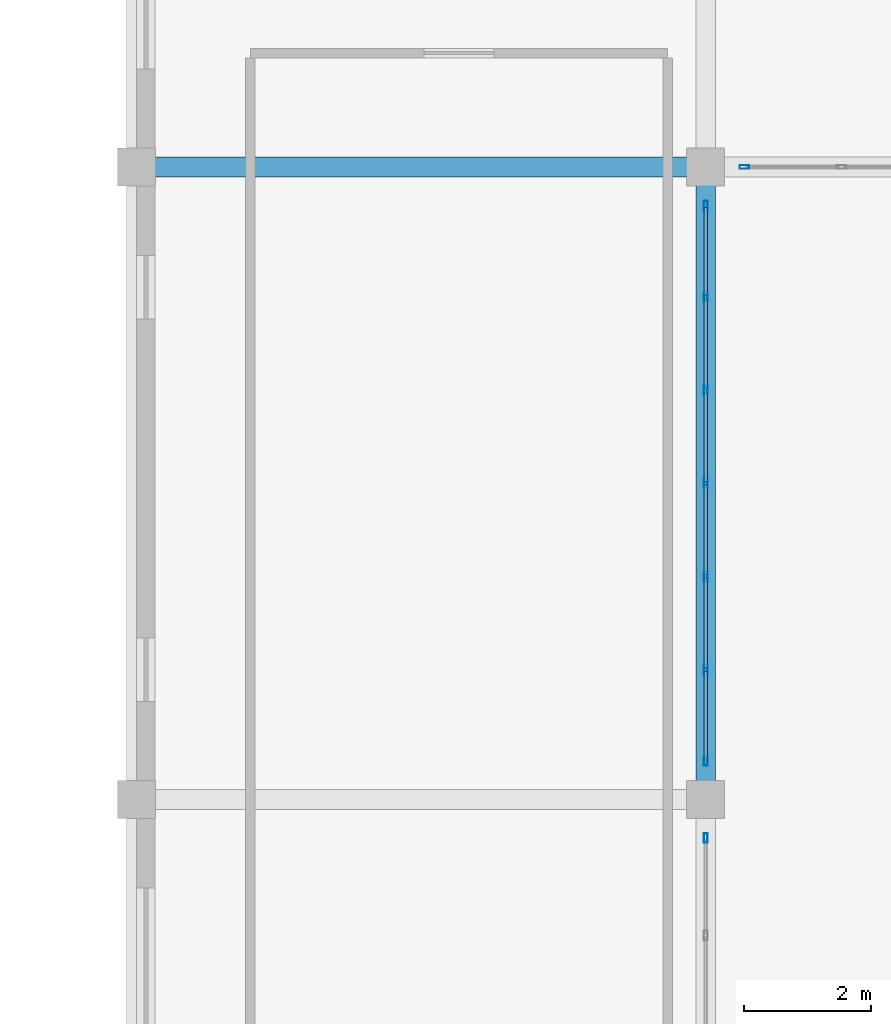
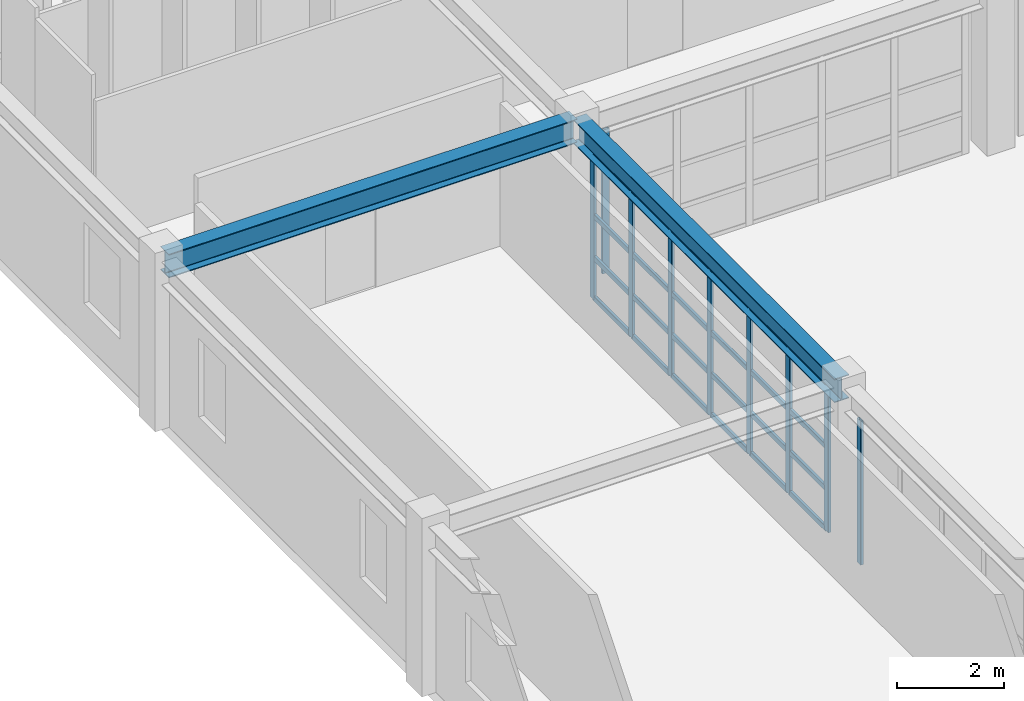
# One storey, part 13 of 110: 33 members, 2 beams, 3 elements without a shape of their own.
"""IFC4 building model written with IfcOpenShell, lengths in metres."""

from ifc_helpers import new_model, si_unit, direction, frame, origin, origin_2d, place, context, subcontext, project, spatial, hollow_rectangle, i_section, extrude, material, material_profile, profile_set, type_object, element, aggregate, save


model = new_model("IFC4")

# Units and contexts
model_context = context("Model", 3, precision=1e-05, world=origin(), true_north=direction((0.0, 1.0)))
body_context = subcontext(model_context, "Body", "Model", "MODEL_VIEW")
ifc_project = project(units=[si_unit("LENGTHUNIT", "METRE"), si_unit("AREAUNIT", "SQUARE_METRE"), si_unit("VOLUMEUNIT", "CUBIC_METRE"), si_unit("PLANEANGLEUNIT", "RADIAN"), si_unit("MASSUNIT", "GRAM", prefix="KILO")], contexts=[model_context])

# Site, building, storey
site_placement = place(None, origin())
site = spatial("IfcSite", under=ifc_project, at=site_placement, CompositionType="ELEMENT")
building_placement = place(site_placement, origin())
building = spatial("IfcBuilding", under=site, at=building_placement, Name="Miravela Opera House", CompositionType="ELEMENT")
storey_placement = place(building_placement, frame((0.0, 0.0, 13.60009765625)))
storey = spatial("IfcBuildingStorey", under=building, at=storey_placement, Name="L03", CompositionType="ELEMENT", Elevation=13.60009765625)

# Curtain wall, member
ifc_material_1 = material(Name="Anodised architectural bronze aluminium 6063-T6", Category="aluminium")
curtain_wall_type = type_object("IfcCurtainWallType", Name="ARC-CW-06", PredefinedType="NOTDEFINED", material=ifc_material_1)
curtain_wall_1_placement = place(storey_placement, origin())
curtain_wall_1 = element("IfcCurtainWall", 1, at=curtain_wall_1_placement, inside=storey, type_object=curtain_wall_type, Name="Courtyard Arcade Curtain Wall CW-L03-148", PredefinedType="NOTDEFINED")
ifc_material_profile_1 = material_profile(ifc_material_1, hollow_rectangle(XDim=0.06005859375, YDim=0.14990234375, WallThickness=0.00390625, InnerFilletRadius=0.001953125, OuterFilletRadius=0.00390625, at=origin_2d()), Name="CWM-60X150")
ifc_profile_set_1 = profile_set([ifc_material_profile_1])
member_type_1 = type_object("IfcMemberType", Name="ARC-CWM-150", PredefinedType="MULLION", material=ifc_profile_set_1)
member_1_placement = place(storey_placement, frame((27.610107421875, 28.0, 0.0), z_axis=(0.0, 0.0, 1.0), x_axis=(0.0, 1.0, 0.0)))
member_1 = element("IfcMember", 2, at=member_1_placement, type_object=member_type_1, Name="CW-06 mullion 1", PredefinedType="MULLION", context=body_context, shape_type="SweptSolid", body=[
    extrude(hollow_rectangle(XDim=0.06005859375, YDim=0.14990234375, WallThickness=0.00390625, InnerFilletRadius=0.001953125, OuterFilletRadius=0.00390625, at=origin_2d()), origin(), (0.0, 0.0, 1.0), 3.289794921875),
])
aggregate(curtain_wall_1, [member_1])

curtain_wall_2_placement = place(storey_placement, origin())
curtain_wall_2 = element("IfcCurtainWall", 3, at=curtain_wall_2_placement, inside=storey, type_object=curtain_wall_type, Name="Courtyard Arcade Curtain Wall CW-L03-152", PredefinedType="NOTDEFINED")
member_2_placement = place(storey_placement, frame((27.0, 17.389892578125, 0.0), z_axis=(0.0, 0.0, 1.0), x_axis=(-1.0, 0.0, 0.0)))
member_2 = element("IfcMember", 4, at=member_2_placement, type_object=member_type_1, Name="CW-06 mullion 6", PredefinedType="MULLION", context=body_context, shape_type="SweptSolid", body=[
    extrude(hollow_rectangle(XDim=0.06005859375, YDim=0.14990234375, WallThickness=0.00390625, InnerFilletRadius=0.001953125, OuterFilletRadius=0.00390625, at=origin_2d()), origin(), (0.0, 0.0, 1.0), 3.289794921875),
])
aggregate(curtain_wall_2, [member_2])

# Curtain wall, members
curtain_wall_3_placement = place(storey_placement, origin())
curtain_wall_3 = element("IfcCurtainWall", 5, at=curtain_wall_3_placement, inside=storey, type_object=curtain_wall_type, Name="Courtyard Arcade Curtain Wall CW-L03-153", PredefinedType="NOTDEFINED")
member_3_placement = place(storey_placement, frame((27.0, 18.610107421875, 0.0), z_axis=(0.0, 0.0, 1.0), x_axis=(-1.0, 0.0, 0.0)))
member_3 = element("IfcMember", 6, at=member_3_placement, type_object=member_type_1, Name="CW-06 mullion 1", PredefinedType="MULLION", context=body_context, shape_type="SweptSolid", body=[
    extrude(hollow_rectangle(XDim=0.06005859375, YDim=0.14990234375, WallThickness=0.00390625, InnerFilletRadius=0.001953125, OuterFilletRadius=0.00390625, at=origin_2d()), origin(), (0.0, 0.0, 1.0), 3.289794921875),
])
member_4_placement = place(storey_placement, frame((27.0, 20.05322265625, 0.0), z_axis=(0.0, 0.0, 1.0), x_axis=(-1.0, 0.0, 0.0)))
member_4 = element("IfcMember", 7, at=member_4_placement, type_object=member_type_1, Name="CW-06 mullion 2", PredefinedType="MULLION", context=body_context, shape_type="SweptSolid", body=[
    extrude(hollow_rectangle(XDim=0.06005859375, YDim=0.14990234375, WallThickness=0.00390625, InnerFilletRadius=0.001953125, OuterFilletRadius=0.00390625, at=origin_2d()), origin(), (0.0, 0.0, 1.0), 3.289794921875),
])
member_5_placement = place(storey_placement, frame((27.0, 21.526611328125, 0.0), z_axis=(0.0, 0.0, 1.0), x_axis=(-1.0, 0.0, 0.0)))
member_5 = element("IfcMember", 8, at=member_5_placement, type_object=member_type_1, Name="CW-06 mullion 3", PredefinedType="MULLION", context=body_context, shape_type="SweptSolid", body=[
    extrude(hollow_rectangle(XDim=0.06005859375, YDim=0.14990234375, WallThickness=0.00390625, InnerFilletRadius=0.001953125, OuterFilletRadius=0.00390625, at=origin_2d()), origin(), (0.0, 0.0, 1.0), 3.289794921875),
])
member_6_placement = place(storey_placement, frame((27.0, 23.0, 0.0), z_axis=(0.0, 0.0, 1.0), x_axis=(-1.0, 0.0, 0.0)))
member_6 = element("IfcMember", 9, at=member_6_placement, type_object=member_type_1, Name="CW-06 mullion 4", PredefinedType="MULLION", context=body_context, shape_type="SweptSolid", body=[
    extrude(hollow_rectangle(XDim=0.06005859375, YDim=0.14990234375, WallThickness=0.00390625, InnerFilletRadius=0.001953125, OuterFilletRadius=0.00390625, at=origin_2d()), origin(), (0.0, 0.0, 1.0), 3.289794921875),
])
member_7_placement = place(storey_placement, frame((27.0, 24.473388671875, 0.0), z_axis=(0.0, 0.0, 1.0), x_axis=(-1.0, 0.0, 0.0)))
member_7 = element("IfcMember", 10, at=member_7_placement, type_object=member_type_1, Name="CW-06 mullion 5", PredefinedType="MULLION", context=body_context, shape_type="SweptSolid", body=[
    extrude(hollow_rectangle(XDim=0.06005859375, YDim=0.14990234375, WallThickness=0.00390625, InnerFilletRadius=0.001953125, OuterFilletRadius=0.00390625, at=origin_2d()), origin(), (0.0, 0.0, 1.0), 3.289794921875),
])
member_8_placement = place(storey_placement, frame((27.0, 25.94677734375, 0.0), z_axis=(0.0, 0.0, 1.0), x_axis=(-1.0, 0.0, 0.0)))
member_8 = element("IfcMember", 11, at=member_8_placement, type_object=member_type_1, Name="CW-06 mullion 6", PredefinedType="MULLION", context=body_context, shape_type="SweptSolid", body=[
    extrude(hollow_rectangle(XDim=0.06005859375, YDim=0.14990234375, WallThickness=0.00390625, InnerFilletRadius=0.001953125, OuterFilletRadius=0.00390625, at=origin_2d()), origin(), (0.0, 0.0, 1.0), 3.289794921875),
])
member_9_placement = place(storey_placement, frame((27.0, 27.389892578125, 0.0), z_axis=(0.0, 0.0, 1.0), x_axis=(-1.0, 0.0, 0.0)))
member_9 = element("IfcMember", 12, at=member_9_placement, type_object=member_type_1, Name="CW-06 mullion 7", PredefinedType="MULLION", context=body_context, shape_type="SweptSolid", body=[
    extrude(hollow_rectangle(XDim=0.06005859375, YDim=0.14990234375, WallThickness=0.00390625, InnerFilletRadius=0.001953125, OuterFilletRadius=0.00390625, at=origin_2d()), origin(), (0.0, 0.0, 1.0), 3.289794921875),
])
ifc_material_profile_2 = material_profile(ifc_material_1, hollow_rectangle(XDim=0.06005859375, YDim=0.114990234375, WallThickness=0.00390625, InnerFilletRadius=0.001953125, OuterFilletRadius=0.00390625, at=origin_2d()), Name="CWT-60X115")
ifc_profile_set_2 = profile_set([ifc_material_profile_2])
member_type_2 = type_object("IfcMemberType", Name="ARC-CWT-115", PredefinedType="USERDEFINED", material=ifc_profile_set_2)
member_10_placement = place(storey_placement, frame((27.0, 18.639892578125, 0.02978515625), z_axis=(0.0, 1.0, 0.0), x_axis=(-1.0, 0.0, 0.0)))
member_10 = element("IfcMember", 13, at=member_10_placement, type_object=member_type_2, Name="CW-06 transom 1.1", ObjectType="TRANSOM", PredefinedType="USERDEFINED", context=body_context, shape_type="SweptSolid", body=[
    extrude(hollow_rectangle(XDim=0.06005859375, YDim=0.114990234375, WallThickness=0.00390625, InnerFilletRadius=0.001953125, OuterFilletRadius=0.00390625, at=origin_2d()), origin(), (0.0, 0.0, 1.0), 1.383544921875),
])
member_11_placement = place(storey_placement, frame((27.0, 18.639892578125, 0.949951171875), z_axis=(0.0, 1.0, 0.0), x_axis=(-1.0, 0.0, 0.0)))
member_11 = element("IfcMember", 14, at=member_11_placement, type_object=member_type_2, Name="CW-06 transom 1.2", ObjectType="TRANSOM", PredefinedType="USERDEFINED", context=body_context, shape_type="SweptSolid", body=[
    extrude(hollow_rectangle(XDim=0.06005859375, YDim=0.114990234375, WallThickness=0.00390625, InnerFilletRadius=0.001953125, OuterFilletRadius=0.00390625, at=origin_2d()), origin(), (0.0, 0.0, 1.0), 1.383544921875),
])
member_12_placement = place(storey_placement, frame((27.0, 18.639892578125, 1.908203125), z_axis=(0.0, 1.0, 0.0), x_axis=(-1.0, 0.0, 0.0)))
member_12 = element("IfcMember", 15, at=member_12_placement, type_object=member_type_2, Name="CW-06 transom 1.3", ObjectType="TRANSOM", PredefinedType="USERDEFINED", context=body_context, shape_type="SweptSolid", body=[
    extrude(hollow_rectangle(XDim=0.06005859375, YDim=0.114990234375, WallThickness=0.00390625, InnerFilletRadius=0.001953125, OuterFilletRadius=0.00390625, at=origin_2d()), origin(), (0.0, 0.0, 1.0), 1.383544921875),
])
member_13_placement = place(storey_placement, frame((27.0, 18.639892578125, 3.260009765625), z_axis=(0.0, 1.0, 0.0), x_axis=(-1.0, 0.0, 0.0)))
member_13 = element("IfcMember", 16, at=member_13_placement, type_object=member_type_2, Name="CW-06 transom 1.4", ObjectType="TRANSOM", PredefinedType="USERDEFINED", context=body_context, shape_type="SweptSolid", body=[
    extrude(hollow_rectangle(XDim=0.06005859375, YDim=0.114990234375, WallThickness=0.00390625, InnerFilletRadius=0.001953125, OuterFilletRadius=0.00390625, at=origin_2d()), origin(), (0.0, 0.0, 1.0), 1.383544921875),
])
member_14_placement = place(storey_placement, frame((27.0, 20.083251953125, 0.02978515625), z_axis=(0.0, 1.0, 0.0), x_axis=(-1.0, 0.0, 0.0)))
member_14 = element("IfcMember", 17, at=member_14_placement, type_object=member_type_2, Name="CW-06 transom 2.1", ObjectType="TRANSOM", PredefinedType="USERDEFINED", context=body_context, shape_type="SweptSolid", body=[
    extrude(hollow_rectangle(XDim=0.06005859375, YDim=0.114990234375, WallThickness=0.00390625, InnerFilletRadius=0.001953125, OuterFilletRadius=0.00390625, at=origin_2d()), origin(), (0.0, 0.0, 1.0), 1.413330078125),
])
member_15_placement = place(storey_placement, frame((27.0, 20.083251953125, 0.949951171875), z_axis=(0.0, 1.0, 0.0), x_axis=(-1.0, 0.0, 0.0)))
member_15 = element("IfcMember", 18, at=member_15_placement, type_object=member_type_2, Name="CW-06 transom 2.2", ObjectType="TRANSOM", PredefinedType="USERDEFINED", context=body_context, shape_type="SweptSolid", body=[
    extrude(hollow_rectangle(XDim=0.06005859375, YDim=0.114990234375, WallThickness=0.00390625, InnerFilletRadius=0.001953125, OuterFilletRadius=0.00390625, at=origin_2d()), origin(), (0.0, 0.0, 1.0), 1.413330078125),
])
member_16_placement = place(storey_placement, frame((27.0, 20.083251953125, 1.908203125), z_axis=(0.0, 1.0, 0.0), x_axis=(-1.0, 0.0, 0.0)))
member_16 = element("IfcMember", 19, at=member_16_placement, type_object=member_type_2, Name="CW-06 transom 2.3", ObjectType="TRANSOM", PredefinedType="USERDEFINED", context=body_context, shape_type="SweptSolid", body=[
    extrude(hollow_rectangle(XDim=0.06005859375, YDim=0.114990234375, WallThickness=0.00390625, InnerFilletRadius=0.001953125, OuterFilletRadius=0.00390625, at=origin_2d()), origin(), (0.0, 0.0, 1.0), 1.413330078125),
])
member_17_placement = place(storey_placement, frame((27.0, 20.083251953125, 3.260009765625), z_axis=(0.0, 1.0, 0.0), x_axis=(-1.0, 0.0, 0.0)))
member_17 = element("IfcMember", 20, at=member_17_placement, type_object=member_type_2, Name="CW-06 transom 2.4", ObjectType="TRANSOM", PredefinedType="USERDEFINED", context=body_context, shape_type="SweptSolid", body=[
    extrude(hollow_rectangle(XDim=0.06005859375, YDim=0.114990234375, WallThickness=0.00390625, InnerFilletRadius=0.001953125, OuterFilletRadius=0.00390625, at=origin_2d()), origin(), (0.0, 0.0, 1.0), 1.413330078125),
])
member_18_placement = place(storey_placement, frame((27.0, 21.556640625, 0.02978515625), z_axis=(0.0, 1.0, 0.0), x_axis=(-1.0, 0.0, 0.0)))
member_18 = element("IfcMember", 21, at=member_18_placement, type_object=member_type_2, Name="CW-06 transom 3.1", ObjectType="TRANSOM", PredefinedType="USERDEFINED", context=body_context, shape_type="SweptSolid", body=[
    extrude(hollow_rectangle(XDim=0.06005859375, YDim=0.114990234375, WallThickness=0.00390625, InnerFilletRadius=0.001953125, OuterFilletRadius=0.00390625, at=origin_2d()), origin(), (0.0, 0.0, 1.0), 1.413330078125),
])
member_19_placement = place(storey_placement, frame((27.0, 21.556640625, 0.949951171875), z_axis=(0.0, 1.0, 0.0), x_axis=(-1.0, 0.0, 0.0)))
member_19 = element("IfcMember", 22, at=member_19_placement, type_object=member_type_2, Name="CW-06 transom 3.2", ObjectType="TRANSOM", PredefinedType="USERDEFINED", context=body_context, shape_type="SweptSolid", body=[
    extrude(hollow_rectangle(XDim=0.06005859375, YDim=0.114990234375, WallThickness=0.00390625, InnerFilletRadius=0.001953125, OuterFilletRadius=0.00390625, at=origin_2d()), origin(), (0.0, 0.0, 1.0), 1.413330078125),
])
member_20_placement = place(storey_placement, frame((27.0, 21.556640625, 1.908203125), z_axis=(0.0, 1.0, 0.0), x_axis=(-1.0, 0.0, 0.0)))
member_20 = element("IfcMember", 23, at=member_20_placement, type_object=member_type_2, Name="CW-06 transom 3.3", ObjectType="TRANSOM", PredefinedType="USERDEFINED", context=body_context, shape_type="SweptSolid", body=[
    extrude(hollow_rectangle(XDim=0.06005859375, YDim=0.114990234375, WallThickness=0.00390625, InnerFilletRadius=0.001953125, OuterFilletRadius=0.00390625, at=origin_2d()), origin(), (0.0, 0.0, 1.0), 1.413330078125),
])
member_21_placement = place(storey_placement, frame((27.0, 21.556640625, 3.260009765625), z_axis=(0.0, 1.0, 0.0), x_axis=(-1.0, 0.0, 0.0)))
member_21 = element("IfcMember", 24, at=member_21_placement, type_object=member_type_2, Name="CW-06 transom 3.4", ObjectType="TRANSOM", PredefinedType="USERDEFINED", context=body_context, shape_type="SweptSolid", body=[
    extrude(hollow_rectangle(XDim=0.06005859375, YDim=0.114990234375, WallThickness=0.00390625, InnerFilletRadius=0.001953125, OuterFilletRadius=0.00390625, at=origin_2d()), origin(), (0.0, 0.0, 1.0), 1.413330078125),
])
member_22_placement = place(storey_placement, frame((27.0, 23.030029296875, 0.02978515625), z_axis=(0.0, 1.0, 0.0), x_axis=(-1.0, 0.0, 0.0)))
member_22 = element("IfcMember", 25, at=member_22_placement, type_object=member_type_2, Name="CW-06 transom 4.1", ObjectType="TRANSOM", PredefinedType="USERDEFINED", context=body_context, shape_type="SweptSolid", body=[
    extrude(hollow_rectangle(XDim=0.06005859375, YDim=0.114990234375, WallThickness=0.00390625, InnerFilletRadius=0.001953125, OuterFilletRadius=0.00390625, at=origin_2d()), origin(), (0.0, 0.0, 1.0), 1.413330078125),
])
member_23_placement = place(storey_placement, frame((27.0, 23.030029296875, 0.949951171875), z_axis=(0.0, 1.0, 0.0), x_axis=(-1.0, 0.0, 0.0)))
member_23 = element("IfcMember", 26, at=member_23_placement, type_object=member_type_2, Name="CW-06 transom 4.2", ObjectType="TRANSOM", PredefinedType="USERDEFINED", context=body_context, shape_type="SweptSolid", body=[
    extrude(hollow_rectangle(XDim=0.06005859375, YDim=0.114990234375, WallThickness=0.00390625, InnerFilletRadius=0.001953125, OuterFilletRadius=0.00390625, at=origin_2d()), origin(), (0.0, 0.0, 1.0), 1.413330078125),
])
member_24_placement = place(storey_placement, frame((27.0, 23.030029296875, 1.908203125), z_axis=(0.0, 1.0, 0.0), x_axis=(-1.0, 0.0, 0.0)))
member_24 = element("IfcMember", 27, at=member_24_placement, type_object=member_type_2, Name="CW-06 transom 4.3", ObjectType="TRANSOM", PredefinedType="USERDEFINED", context=body_context, shape_type="SweptSolid", body=[
    extrude(hollow_rectangle(XDim=0.06005859375, YDim=0.114990234375, WallThickness=0.00390625, InnerFilletRadius=0.001953125, OuterFilletRadius=0.00390625, at=origin_2d()), origin(), (0.0, 0.0, 1.0), 1.413330078125),
])
member_25_placement = place(storey_placement, frame((27.0, 23.030029296875, 3.260009765625), z_axis=(0.0, 1.0, 0.0), x_axis=(-1.0, 0.0, 0.0)))
member_25 = element("IfcMember", 28, at=member_25_placement, type_object=member_type_2, Name="CW-06 transom 4.4", ObjectType="TRANSOM", PredefinedType="USERDEFINED", context=body_context, shape_type="SweptSolid", body=[
    extrude(hollow_rectangle(XDim=0.06005859375, YDim=0.114990234375, WallThickness=0.00390625, InnerFilletRadius=0.001953125, OuterFilletRadius=0.00390625, at=origin_2d()), origin(), (0.0, 0.0, 1.0), 1.413330078125),
])
member_26_placement = place(storey_placement, frame((27.0, 24.50341796875, 0.02978515625), z_axis=(0.0, 1.0, 0.0), x_axis=(-1.0, 0.0, 0.0)))
member_26 = element("IfcMember", 29, at=member_26_placement, type_object=member_type_2, Name="CW-06 transom 5.1", ObjectType="TRANSOM", PredefinedType="USERDEFINED", context=body_context, shape_type="SweptSolid", body=[
    extrude(hollow_rectangle(XDim=0.06005859375, YDim=0.114990234375, WallThickness=0.00390625, InnerFilletRadius=0.001953125, OuterFilletRadius=0.00390625, at=origin_2d()), origin(), (0.0, 0.0, 1.0), 1.413330078125),
])
member_27_placement = place(storey_placement, frame((27.0, 24.50341796875, 0.949951171875), z_axis=(0.0, 1.0, 0.0), x_axis=(-1.0, 0.0, 0.0)))
member_27 = element("IfcMember", 30, at=member_27_placement, type_object=member_type_2, Name="CW-06 transom 5.2", ObjectType="TRANSOM", PredefinedType="USERDEFINED", context=body_context, shape_type="SweptSolid", body=[
    extrude(hollow_rectangle(XDim=0.06005859375, YDim=0.114990234375, WallThickness=0.00390625, InnerFilletRadius=0.001953125, OuterFilletRadius=0.00390625, at=origin_2d()), origin(), (0.0, 0.0, 1.0), 1.413330078125),
])
member_28_placement = place(storey_placement, frame((27.0, 24.50341796875, 1.908203125), z_axis=(0.0, 1.0, 0.0), x_axis=(-1.0, 0.0, 0.0)))
member_28 = element("IfcMember", 31, at=member_28_placement, type_object=member_type_2, Name="CW-06 transom 5.3", ObjectType="TRANSOM", PredefinedType="USERDEFINED", context=body_context, shape_type="SweptSolid", body=[
    extrude(hollow_rectangle(XDim=0.06005859375, YDim=0.114990234375, WallThickness=0.00390625, InnerFilletRadius=0.001953125, OuterFilletRadius=0.00390625, at=origin_2d()), origin(), (0.0, 0.0, 1.0), 1.413330078125),
])
member_29_placement = place(storey_placement, frame((27.0, 24.50341796875, 3.260009765625), z_axis=(0.0, 1.0, 0.0), x_axis=(-1.0, 0.0, 0.0)))
member_29 = element("IfcMember", 32, at=member_29_placement, type_object=member_type_2, Name="CW-06 transom 5.4", ObjectType="TRANSOM", PredefinedType="USERDEFINED", context=body_context, shape_type="SweptSolid", body=[
    extrude(hollow_rectangle(XDim=0.06005859375, YDim=0.114990234375, WallThickness=0.00390625, InnerFilletRadius=0.001953125, OuterFilletRadius=0.00390625, at=origin_2d()), origin(), (0.0, 0.0, 1.0), 1.413330078125),
])
member_30_placement = place(storey_placement, frame((27.0, 25.9765625, 0.02978515625), z_axis=(0.0, 1.0, 0.0), x_axis=(-1.0, 0.0, 0.0)))
member_30 = element("IfcMember", 33, at=member_30_placement, type_object=member_type_2, Name="CW-06 transom 6.1", ObjectType="TRANSOM", PredefinedType="USERDEFINED", context=body_context, shape_type="SweptSolid", body=[
    extrude(hollow_rectangle(XDim=0.06005859375, YDim=0.114990234375, WallThickness=0.00390625, InnerFilletRadius=0.001953125, OuterFilletRadius=0.00390625, at=origin_2d()), origin(), (0.0, 0.0, 1.0), 1.383544921875),
])
member_31_placement = place(storey_placement, frame((27.0, 25.9765625, 0.949951171875), z_axis=(0.0, 1.0, 0.0), x_axis=(-1.0, 0.0, 0.0)))
member_31 = element("IfcMember", 34, at=member_31_placement, type_object=member_type_2, Name="CW-06 transom 6.2", ObjectType="TRANSOM", PredefinedType="USERDEFINED", context=body_context, shape_type="SweptSolid", body=[
    extrude(hollow_rectangle(XDim=0.06005859375, YDim=0.114990234375, WallThickness=0.00390625, InnerFilletRadius=0.001953125, OuterFilletRadius=0.00390625, at=origin_2d()), origin(), (0.0, 0.0, 1.0), 1.383544921875),
])
member_32_placement = place(storey_placement, frame((27.0, 25.9765625, 1.908203125), z_axis=(0.0, 1.0, 0.0), x_axis=(-1.0, 0.0, 0.0)))
member_32 = element("IfcMember", 35, at=member_32_placement, type_object=member_type_2, Name="CW-06 transom 6.3", ObjectType="TRANSOM", PredefinedType="USERDEFINED", context=body_context, shape_type="SweptSolid", body=[
    extrude(hollow_rectangle(XDim=0.06005859375, YDim=0.114990234375, WallThickness=0.00390625, InnerFilletRadius=0.001953125, OuterFilletRadius=0.00390625, at=origin_2d()), origin(), (0.0, 0.0, 1.0), 1.383544921875),
])
member_33_placement = place(storey_placement, frame((27.0, 25.9765625, 3.260009765625), z_axis=(0.0, 1.0, 0.0), x_axis=(-1.0, 0.0, 0.0)))
member_33 = element("IfcMember", 36, at=member_33_placement, type_object=member_type_2, Name="CW-06 transom 6.4", ObjectType="TRANSOM", PredefinedType="USERDEFINED", context=body_context, shape_type="SweptSolid", body=[
    extrude(hollow_rectangle(XDim=0.06005859375, YDim=0.114990234375, WallThickness=0.00390625, InnerFilletRadius=0.001953125, OuterFilletRadius=0.00390625, at=origin_2d()), origin(), (0.0, 0.0, 1.0), 1.383544921875),
])
aggregate(curtain_wall_3, [member_3, member_4, member_5, member_6, member_7, member_8, member_9, member_10, member_11, member_12, member_13, member_14, member_15, member_16, member_17, member_18, member_19, member_20, member_21, member_22, member_23, member_24, member_25, member_26, member_27, member_28, member_29, member_30, member_31, member_32, member_33])

# Beams
ifc_material_2 = material(Name="Structural steel ASTM A992 Gr. 50", Category="steel")
ifc_material_profile_3 = material_profile(ifc_material_2, i_section(OverallWidth=0.31201171875, OverallDepth=0.54296875, WebThickness=0.0126953125, FlangeThickness=0.020263671875, FilletRadius=0.01611328125, at=origin_2d()), Name="W530X150")
ifc_profile_set_3 = profile_set([ifc_material_profile_3])
beam_type = type_object("IfcBeamType", Name="STR-BM-W530X150", PredefinedType="BEAM", material=ifc_profile_set_3)
beam_1_placement = place(storey_placement, frame((18.080078125, 28.0, 3.568359375), z_axis=(1.0, 0.0, 0.0), x_axis=(0.0, 1.0, 0.0)))
element("IfcBeam", 37, at=beam_1_placement, inside=storey, type_object=beam_type, Name="Roof Eave Girder ROOF-V4-WEST-N S1", PredefinedType="BEAM", context=body_context, shape_type="SweptSolid", body=[
    extrude(i_section(OverallWidth=0.31201171875, OverallDepth=0.54296875, WebThickness=0.0126953125, FlangeThickness=0.020263671875, FilletRadius=0.01611328125, at=origin_2d()), origin(), (0.0, 0.0, 1.0), 8.83984375),
])
beam_2_placement = place(storey_placement, frame((27.0, 18.080078125, 3.568359375), z_axis=(0.0, 1.0, 0.0), x_axis=(-1.0, 0.0, 0.0)))
element("IfcBeam", 38, at=beam_2_placement, inside=storey, type_object=beam_type, Name="Roof Eave Girder ROOF-V4-WEST-M E2", PredefinedType="BEAM", context=body_context, shape_type="SweptSolid", body=[
    extrude(i_section(OverallWidth=0.31201171875, OverallDepth=0.54296875, WebThickness=0.0126953125, FlangeThickness=0.020263671875, FilletRadius=0.01611328125, at=origin_2d()), origin(), (0.0, 0.0, 1.0), 9.83984375),
])

save(model, "model.ifc")
